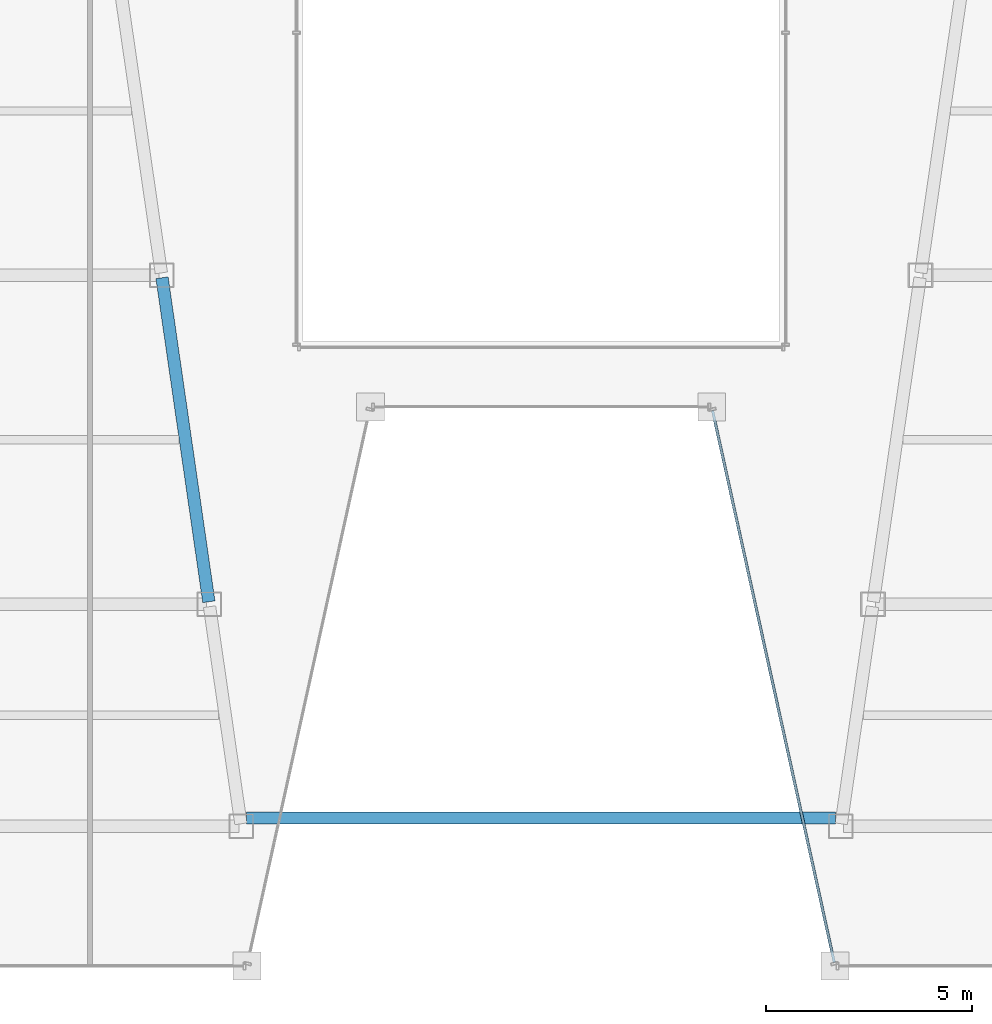
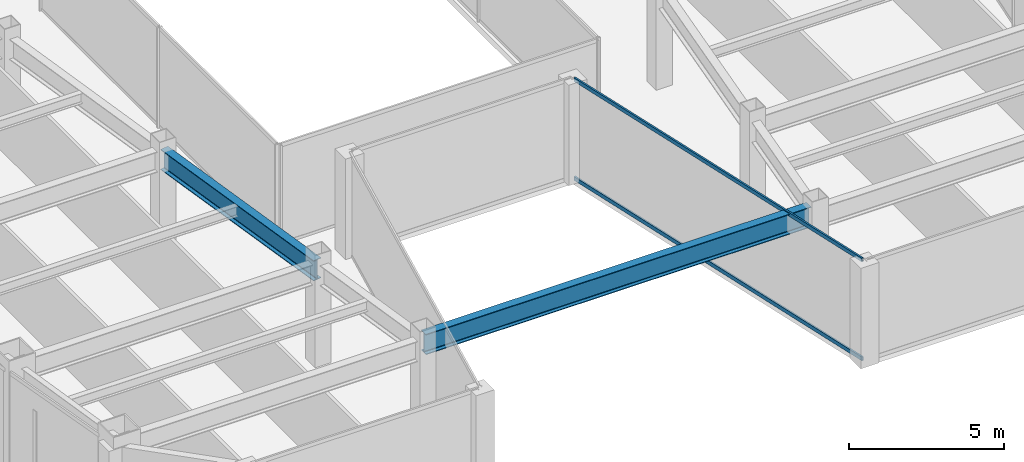
# One storey, part 6 of 36: 2 beams, 2 members, 1 element without a shape of its own.
"""IFC4 building model written with IfcOpenShell, lengths in metres."""

import ifcopenshell
import ifcopenshell.guid

model = None  # the IFC model being written
_history = None  # IfcOwnerHistory: only IFC2X3 demands one
_inside = {}  # id of a spatial element -> (the spatial element, [elements in it])
_under = {}  # id of a project, library or spatial element -> (it, [spatial elements below it])
_declared = {}  # id of a project -> (the project, [libraries it declares])
_typed = {}  # id of a type object -> (the type object, [elements of that type])
_made_of = {}  # id of a material, layer set ... -> (it, [elements and type objects made of it])


def new_model(schema):
    """Start an empty IFC model of exactly this schema.

    Asked for "IFC4X3", IfcOpenShell would pick the latest addendum, in which some entities
    have other attributes; the version numbers below select the first issue.
    IFC2X3 requires an IfcOwnerHistory on every rooted entity: one is made here for all.
    """
    global model, _history
    if schema == "IFC4X3":
        model = ifcopenshell.file(schema_version=(4, 3, 0, 0))
    else:
        model = ifcopenshell.file(schema=schema)
    _inside.clear()
    _under.clear()
    _declared.clear()
    _typed.clear()
    _made_of.clear()
    _history = None
    if model.schema == "IFC2X3":
        org = make("IfcOrganization", Name="unknown")
        user = make(
            "IfcPersonAndOrganization",
            ThePerson=make("IfcPerson", FamilyName="unknown"),
            TheOrganization=org,
        )
        app = make(
            "IfcApplication",
            ApplicationDeveloper=org,
            Version="unknown",
            ApplicationFullName="unknown",
            ApplicationIdentifier="unknown",
        )
        _history = make(
            "IfcOwnerHistory",
            OwningUser=user,
            OwningApplication=app,
            ChangeAction="ADDED",
            CreationDate=0,
        )
    return model


def make(cls, **values):
    """One entity of the class cls with the attributes given. An attribute that is None is left unset."""
    return model.create_entity(
        cls, **{name: value for name, value in values.items() if value is not None}
    )


def rooted(cls, **values):
    """An entity with a GlobalId (a new one), such as an element, a storey or a relation."""
    return make(cls, GlobalId=ifcopenshell.guid.new(), OwnerHistory=_history, **values)


def si_unit(unit_type, name, prefix=None):
    """IfcSIUnit, for example si_unit("LENGTHUNIT", "METRE", prefix="MILLI")."""
    return make("IfcSIUnit", UnitType=unit_type, Prefix=prefix, Name=name)


def assignment(units):
    """IfcUnitAssignment: the units of a project."""
    return None if units is None else make("IfcUnitAssignment", Units=units)


def point(xyz):
    """IfcCartesianPoint."""
    return None if xyz is None else make("IfcCartesianPoint", Coordinates=xyz)


def direction(xyz):
    """IfcDirection."""
    return None if xyz is None else make("IfcDirection", DirectionRatios=xyz)


def frame(location, z_axis=None, x_axis=None):
    """IfcAxis2Placement3D, a coordinate frame: its origin and axes. An axis left out is left unset."""
    return make(
        "IfcAxis2Placement3D",
        Location=point(location),
        Axis=direction(z_axis),
        RefDirection=direction(x_axis),
    )


def frame_2d(location, x_axis=None):
    """IfcAxis2Placement2D, a coordinate frame in the plane: its origin and x axis."""
    return make(
        "IfcAxis2Placement2D", Location=point(location), RefDirection=direction(x_axis)
    )


def origin():
    """The frame at (0, 0, 0) with its axes left unset."""
    return frame((0.0, 0.0, 0.0))


def origin_2d():
    """The frame at (0, 0) in the plane with its x axis left unset."""
    return frame_2d((0.0, 0.0))


def place(relative_to, where):
    """IfcLocalPlacement: puts the frame where relative to a parent placement (None: the world)."""
    return make(
        "IfcLocalPlacement", PlacementRelTo=relative_to, RelativePlacement=where
    )


def context(
    kind, dimensions, precision=None, world=None, true_north=None, identifier=None
):
    """IfcGeometricRepresentationContext, for example the 3D "Model" context."""
    return make(
        "IfcGeometricRepresentationContext",
        ContextIdentifier=identifier,
        ContextType=kind,
        CoordinateSpaceDimension=dimensions,
        Precision=precision,
        WorldCoordinateSystem=world,
        TrueNorth=true_north,
    )


def subcontext(parent, identifier, kind, view, scale=None):
    """IfcGeometricRepresentationSubContext, for example "Body" below "Model"."""
    return make(
        "IfcGeometricRepresentationSubContext",
        ContextIdentifier=identifier,
        ContextType=kind,
        ParentContext=parent,
        TargetScale=scale,
        TargetView=view,
    )


def project(units=None, contexts=None):
    """IfcProject with its units and contexts."""
    return rooted(
        "IfcProject",
        Name="project",
        RepresentationContexts=contexts,
        UnitsInContext=assignment(units),
    )


def spatial(cls, under=None, at=None, **own):
    """A site, building, storey or space (cls), placed at a placement, below another one or the project."""
    s = rooted(cls, ObjectPlacement=at, **own)
    if under is not None:
        _under.setdefault(under.id(), (under, []))[1].append(s)
    return s


def profile(cls, at=None, kind="AREA", **sizes):
    """A parametric profile (cls). Its sizes go by their IFC names, for example OverallWidth=200.0."""
    return make(cls, ProfileType=kind, Position=at, **sizes)


def hollow_rectangle(**sizes):
    """IfcRectangleHollowProfileDef."""
    return profile("IfcRectangleHollowProfileDef", **sizes)


def i_section(**sizes):
    """IfcIShapeProfileDef."""
    return profile("IfcIShapeProfileDef", **sizes)


def extrude(swept, where, along, depth):
    """IfcExtrudedAreaSolid: the profile swept, set in the frame where, extruded along a direction by depth."""
    return make(
        "IfcExtrudedAreaSolid",
        SweptArea=swept,
        Position=where,
        ExtrudedDirection=direction(along),
        Depth=depth,
    )


def shape(context_of_items, identifier, shape_type, items):
    """IfcShapeRepresentation: the items that make up one representation, for example the "Body"."""
    return make(
        "IfcShapeRepresentation",
        ContextOfItems=context_of_items,
        RepresentationIdentifier=identifier,
        RepresentationType=shape_type,
        Items=items,
    )


def material(Name=None, Category=None):
    """IfcMaterial."""
    return make("IfcMaterial", Name=Name, Category=Category)


def material_profile(
    of_material, cross_section, Name=None, Category=None, Priority=None
):
    """IfcMaterialProfile: a cross section and its material."""
    return make(
        "IfcMaterialProfile",
        Name=Name,
        Material=of_material,
        Profile=cross_section,
        Priority=Priority,
        Category=Category,
    )


def profile_set(profiles, Name=None, composite=None):
    """IfcMaterialProfileSet."""
    return make(
        "IfcMaterialProfileSet",
        Name=Name,
        MaterialProfiles=profiles,
        CompositeProfile=composite,
    )


def made_of(thing, what):
    """Note that an element or type object is made of a material, layer set ...; save() writes the relation."""
    if what is not None:
        _made_of.setdefault(what.id(), (what, []))[1].append(thing)
    return thing


def type_object(cls, material=None, **own):
    """A type object (cls), such as IfcWallType, which elements share."""
    return made_of(rooted(cls, **own), material)


def element(
    cls,
    number,
    at=None,
    inside=None,
    cuts=None,
    type_object=None,
    material=None,
    context=None,
    identifier="Body",
    shape_type=None,
    held_by="IfcProductDefinitionShape",
    body=None,
    shapes=None,
    **own,
):
    """One element of the class cls, such as IfcWall. Its Tag is "e" and its number.

    at: its placement. inside: the storey or other place that contains it. cuts: it is an
    opening in that element (IfcRelVoidsElement). A single representation is given by context,
    identifier, shape_type and body (its items); several are given by shapes. held_by: the class
    of the entity that holds the representations. save() writes the other relations.
    """
    e = rooted(cls, Tag="e%d" % number, ObjectPlacement=at, **own)
    if body is not None:
        shapes = [shape(context, identifier, shape_type, body)]
    if shapes is not None:
        e.Representation = make(held_by, Representations=shapes)
    if inside is not None:
        _inside.setdefault(inside.id(), (inside, []))[1].append(e)
    if cuts is not None:
        rooted(
            "IfcRelVoidsElement", RelatingBuildingElement=cuts, RelatedOpeningElement=e
        )
    if type_object is not None:
        _typed.setdefault(type_object.id(), (type_object, []))[1].append(e)
    return made_of(e, material)


def aggregate(whole, parts):
    """IfcRelAggregates: a whole, such as a stair, and the parts it consists of."""
    return rooted("IfcRelAggregates", RelatingObject=whole, RelatedObjects=parts)


def save(model, path):
    """Write the relations noted so far, then the file.

    IfcRelAggregates (storeys below a building ...), IfcRelContainedInSpatialStructure (elements
    in a storey), IfcRelDefinesByType, IfcRelAssociatesMaterial and IfcRelDeclares: one each for
    every whole, place, type object, material and project.
    """
    for whole, parts in _under.values():
        aggregate(whole, parts)
    for where, things in _inside.values():
        rooted(
            "IfcRelContainedInSpatialStructure",
            RelatedElements=things,
            RelatingStructure=where,
        )
    for kind, things in _typed.values():
        rooted("IfcRelDefinesByType", RelatedObjects=things, RelatingType=kind)
    for what, things in _made_of.values():
        rooted("IfcRelAssociatesMaterial", RelatedObjects=things, RelatingMaterial=what)
    for by, libraries in _declared.values():
        rooted("IfcRelDeclares", RelatingContext=by, RelatedDefinitions=libraries)
    model.write(path)


model = new_model("IFC4")

# Units and contexts
model_context = context("Model", 3, precision=1e-05, world=origin(), true_north=direction((0.0, 1.0)))
body_context = subcontext(model_context, "Body", "Model", "MODEL_VIEW")
ifc_project = project(units=[si_unit("LENGTHUNIT", "METRE"), si_unit("AREAUNIT", "SQUARE_METRE"), si_unit("VOLUMEUNIT", "CUBIC_METRE"), si_unit("PLANEANGLEUNIT", "RADIAN"), si_unit("MASSUNIT", "GRAM", prefix="KILO")], contexts=[model_context])

# Site, building, storey
site_placement = place(None, origin())
site = spatial("IfcSite", under=ifc_project, at=site_placement, CompositionType="ELEMENT")
building_placement = place(site_placement, origin())
building = spatial("IfcBuilding", under=site, at=building_placement, Name="Saevonmaru Cultural Tower", CompositionType="ELEMENT")
storey_placement = place(building_placement, frame((0.0, 0.0, 119.199951171875)))
storey = spatial("IfcBuildingStorey", under=building, at=storey_placement, Name="L25", CompositionType="ELEMENT", Elevation=119.199951171875)

# Beams
ifc_material_1 = material(Name="Steel SM420", Category="steel")
ifc_material_profile_1 = material_profile(ifc_material_1, i_section(OverallWidth=0.300048828125, OverallDepth=0.800048828125, WebThickness=0.013916015625, FlangeThickness=0.02587890625, FilletRadius=0.028076171875, at=origin_2d()), Name="H-800x300x14x26")
ifc_profile_set_1 = profile_set([ifc_material_profile_1], Name="Steel SM420")
beam_type = type_object("IfcBeamType", Name="BM-G-H800", PredefinedType="BEAM", material=ifc_profile_set_1)
beam_1_placement = place(storey_placement, frame((21.91943359375, 16.059326171875, 3.550048828125), z_axis=(-0.143022161059, 0.989719486241, 0.0), x_axis=(-0.989719486241, -0.143022161059, 0.0)))
element("IfcBeam", 1, at=beam_1_placement, inside=storey, type_object=beam_type, Name="L25 West Atrium Girder 2", PredefinedType="BEAM", context=body_context, shape_type="SweptSolid", body=[
    extrude(i_section(OverallWidth=0.300048828125, OverallDepth=0.800048828125, WebThickness=0.013916015625, FlangeThickness=0.02587890625, FilletRadius=0.028076171875, at=origin_2d()), origin(), (0.0, 0.0, 1.0), 7.963134765625),
])
beam_2_placement = place(storey_placement, frame((22.837158203125, 10.800048828125, 3.550048828125), z_axis=(1.0, 0.0, 0.0), x_axis=(0.0, 1.0, 0.0)))
element("IfcBeam", 2, at=beam_2_placement, inside=storey, type_object=beam_type, Name="L25 Central Link Girder", PredefinedType="BEAM", context=body_context, shape_type="SweptSolid", body=[
    extrude(i_section(OverallWidth=0.300048828125, OverallDepth=0.800048828125, WebThickness=0.013916015625, FlangeThickness=0.02587890625, FilletRadius=0.028076171875, at=origin_2d()), origin(), (0.0, 0.0, 1.0), 14.32568359375),
])

# Curtain wall, members
ifc_material_2 = material(Name="Satin Bronze Anodised Aluminium", Category="aluminium")
curtain_wall_type = type_object("IfcCurtainWallType", Name="CW-TYP-A", PredefinedType="NOTDEFINED", material=ifc_material_2)
curtain_wall_placement = place(storey_placement, origin())
curtain_wall = element("IfcCurtainWall", 3, at=curtain_wall_placement, inside=storey, type_object=curtain_wall_type, Name="L25 Unitised Curtain Wall E5", PredefinedType="NOTDEFINED")
ifc_material_profile_2 = material_profile(ifc_material_2, hollow_rectangle(XDim=0.06494140625, YDim=0.14990234375, WallThickness=0.00390625, at=origin_2d()), Name="ALU-TRAN-150x65x4")
ifc_profile_set_2 = profile_set([ifc_material_profile_2], Name="Satin Bronze Anodised Aluminium")
member_type = type_object("IfcMemberType", Name="TR-CW-150x65", PredefinedType="USERDEFINED", material=ifc_profile_set_2)
member_1_placement = place(storey_placement, frame((34.1708984375, 20.709716796875, 0.032470703125), z_axis=(0.21541214732, -0.976523223885, 0.0), x_axis=(0.976523223885, 0.21541214732, 0.0)))
member_1 = element("IfcMember", 4, at=member_1_placement, type_object=member_type, Name="CW-TW-L25-E5 transom 1.1", ObjectType="TRANSOM", PredefinedType="USERDEFINED", context=body_context, shape_type="SweptSolid", body=[
    extrude(hollow_rectangle(XDim=0.06494140625, YDim=0.14990234375, WallThickness=0.00390625, at=origin_2d()), origin(), (0.0, 0.0, 1.0), 13.741943359375),
])
member_2_placement = place(storey_placement, frame((34.1708984375, 20.709716796875, 3.91748046875), z_axis=(0.21541214732, -0.976523223885, 0.0), x_axis=(0.976523223885, 0.21541214732, 0.0)))
member_2 = element("IfcMember", 5, at=member_2_placement, type_object=member_type, Name="CW-TW-L25-E5 transom 1.2", ObjectType="TRANSOM", PredefinedType="USERDEFINED", context=body_context, shape_type="SweptSolid", body=[
    extrude(hollow_rectangle(XDim=0.06494140625, YDim=0.14990234375, WallThickness=0.00390625, at=origin_2d()), origin(), (0.0, 0.0, 1.0), 13.741943359375),
])
aggregate(curtain_wall, [member_1, member_2])

save(model, "model.ifc")
